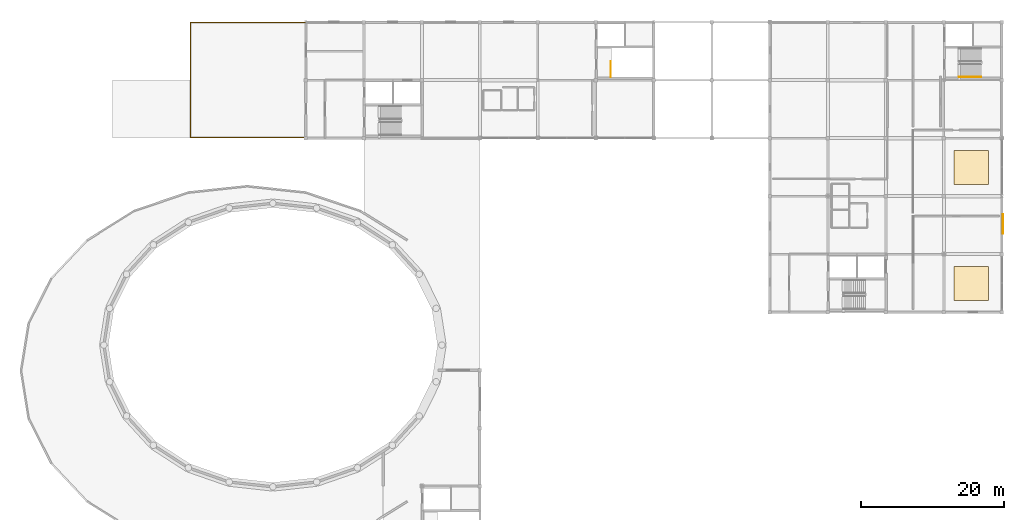
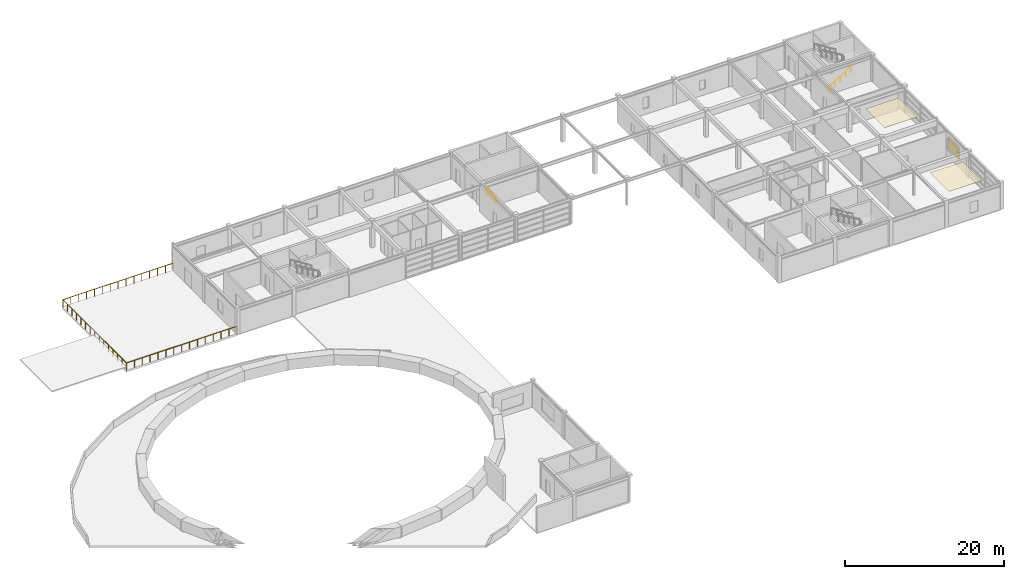
# One storey, part 25 of 26: 3 railings, 2 coverings, 1 shading device.
"""IFC4 building model written with IfcOpenShell, lengths in metres."""

import ifcopenshell
import ifcopenshell.guid

model = None  # the IFC model being written
_history = None  # IfcOwnerHistory: only IFC2X3 demands one
_inside = {}  # id of a spatial element -> (the spatial element, [elements in it])
_under = {}  # id of a project, library or spatial element -> (it, [spatial elements below it])
_declared = {}  # id of a project -> (the project, [libraries it declares])
_typed = {}  # id of a type object -> (the type object, [elements of that type])
_made_of = {}  # id of a material, layer set ... -> (it, [elements and type objects made of it])


def new_model(schema):
    """Start an empty IFC model of exactly this schema.

    Asked for "IFC4X3", IfcOpenShell would pick the latest addendum, in which some entities
    have other attributes; the version numbers below select the first issue.
    IFC2X3 requires an IfcOwnerHistory on every rooted entity: one is made here for all.
    """
    global model, _history
    if schema == "IFC4X3":
        model = ifcopenshell.file(schema_version=(4, 3, 0, 0))
    else:
        model = ifcopenshell.file(schema=schema)
    _inside.clear()
    _under.clear()
    _declared.clear()
    _typed.clear()
    _made_of.clear()
    _history = None
    if model.schema == "IFC2X3":
        org = make("IfcOrganization", Name="unknown")
        user = make(
            "IfcPersonAndOrganization",
            ThePerson=make("IfcPerson", FamilyName="unknown"),
            TheOrganization=org,
        )
        app = make(
            "IfcApplication",
            ApplicationDeveloper=org,
            Version="unknown",
            ApplicationFullName="unknown",
            ApplicationIdentifier="unknown",
        )
        _history = make(
            "IfcOwnerHistory",
            OwningUser=user,
            OwningApplication=app,
            ChangeAction="ADDED",
            CreationDate=0,
        )
    return model


def make(cls, **values):
    """One entity of the class cls with the attributes given. An attribute that is None is left unset."""
    return model.create_entity(
        cls, **{name: value for name, value in values.items() if value is not None}
    )


def rooted(cls, **values):
    """An entity with a GlobalId (a new one), such as an element, a storey or a relation."""
    return make(cls, GlobalId=ifcopenshell.guid.new(), OwnerHistory=_history, **values)


def si_unit(unit_type, name, prefix=None):
    """IfcSIUnit, for example si_unit("LENGTHUNIT", "METRE", prefix="MILLI")."""
    return make("IfcSIUnit", UnitType=unit_type, Prefix=prefix, Name=name)


def assignment(units):
    """IfcUnitAssignment: the units of a project."""
    return None if units is None else make("IfcUnitAssignment", Units=units)


def point(xyz):
    """IfcCartesianPoint."""
    return None if xyz is None else make("IfcCartesianPoint", Coordinates=xyz)


def direction(xyz):
    """IfcDirection."""
    return None if xyz is None else make("IfcDirection", DirectionRatios=xyz)


def frame(location, z_axis=None, x_axis=None):
    """IfcAxis2Placement3D, a coordinate frame: its origin and axes. An axis left out is left unset."""
    return make(
        "IfcAxis2Placement3D",
        Location=point(location),
        Axis=direction(z_axis),
        RefDirection=direction(x_axis),
    )


def frame_2d(location, x_axis=None):
    """IfcAxis2Placement2D, a coordinate frame in the plane: its origin and x axis."""
    return make(
        "IfcAxis2Placement2D", Location=point(location), RefDirection=direction(x_axis)
    )


def origin():
    """The frame at (0, 0, 0) with its axes left unset."""
    return frame((0.0, 0.0, 0.0))


def origin_2d():
    """The frame at (0, 0) in the plane with its x axis left unset."""
    return frame_2d((0.0, 0.0))


def place(relative_to, where):
    """IfcLocalPlacement: puts the frame where relative to a parent placement (None: the world)."""
    return make(
        "IfcLocalPlacement", PlacementRelTo=relative_to, RelativePlacement=where
    )


def context(
    kind, dimensions, precision=None, world=None, true_north=None, identifier=None
):
    """IfcGeometricRepresentationContext, for example the 3D "Model" context."""
    return make(
        "IfcGeometricRepresentationContext",
        ContextIdentifier=identifier,
        ContextType=kind,
        CoordinateSpaceDimension=dimensions,
        Precision=precision,
        WorldCoordinateSystem=world,
        TrueNorth=true_north,
    )


def subcontext(parent, identifier, kind, view, scale=None):
    """IfcGeometricRepresentationSubContext, for example "Body" below "Model"."""
    return make(
        "IfcGeometricRepresentationSubContext",
        ContextIdentifier=identifier,
        ContextType=kind,
        ParentContext=parent,
        TargetScale=scale,
        TargetView=view,
    )


def project(units=None, contexts=None):
    """IfcProject with its units and contexts."""
    return rooted(
        "IfcProject",
        Name="project",
        RepresentationContexts=contexts,
        UnitsInContext=assignment(units),
    )


def spatial(cls, under=None, at=None, **own):
    """A site, building, storey or space (cls), placed at a placement, below another one or the project."""
    s = rooted(cls, ObjectPlacement=at, **own)
    if under is not None:
        _under.setdefault(under.id(), (under, []))[1].append(s)
    return s


def profile(cls, at=None, kind="AREA", **sizes):
    """A parametric profile (cls). Its sizes go by their IFC names, for example OverallWidth=200.0."""
    return make(cls, ProfileType=kind, Position=at, **sizes)


def rectangle(**sizes):
    """IfcRectangleProfileDef."""
    return profile("IfcRectangleProfileDef", **sizes)


def circle(**sizes):
    """IfcCircleProfileDef."""
    return profile("IfcCircleProfileDef", **sizes)


def extrude(swept, where, along, depth):
    """IfcExtrudedAreaSolid: the profile swept, set in the frame where, extruded along a direction by depth."""
    return make(
        "IfcExtrudedAreaSolid",
        SweptArea=swept,
        Position=where,
        ExtrudedDirection=direction(along),
        Depth=depth,
    )


def shape(context_of_items, identifier, shape_type, items):
    """IfcShapeRepresentation: the items that make up one representation, for example the "Body"."""
    return make(
        "IfcShapeRepresentation",
        ContextOfItems=context_of_items,
        RepresentationIdentifier=identifier,
        RepresentationType=shape_type,
        Items=items,
    )


def material(Name=None, Category=None):
    """IfcMaterial."""
    return make("IfcMaterial", Name=Name, Category=Category)


def layer(
    of_material, thickness, ventilated=None, Name=None, Category=None, Priority=None
):
    """IfcMaterialLayer: one layer of a wall or slab, of a material (None: an air gap)."""
    return make(
        "IfcMaterialLayer",
        Material=of_material,
        LayerThickness=thickness,
        IsVentilated=ventilated,
        Name=Name,
        Category=Category,
        Priority=Priority,
    )


def layer_set(layers, Name=None):
    """IfcMaterialLayerSet."""
    return make("IfcMaterialLayerSet", MaterialLayers=layers, LayerSetName=Name)


def made_of(thing, what):
    """Note that an element or type object is made of a material, layer set ...; save() writes the relation."""
    if what is not None:
        _made_of.setdefault(what.id(), (what, []))[1].append(thing)
    return thing


def type_object(cls, material=None, **own):
    """A type object (cls), such as IfcWallType, which elements share."""
    return made_of(rooted(cls, **own), material)


def element(
    cls,
    number,
    at=None,
    inside=None,
    cuts=None,
    type_object=None,
    material=None,
    context=None,
    identifier="Body",
    shape_type=None,
    held_by="IfcProductDefinitionShape",
    body=None,
    shapes=None,
    **own,
):
    """One element of the class cls, such as IfcWall. Its Tag is "e" and its number.

    at: its placement. inside: the storey or other place that contains it. cuts: it is an
    opening in that element (IfcRelVoidsElement). A single representation is given by context,
    identifier, shape_type and body (its items); several are given by shapes. held_by: the class
    of the entity that holds the representations. save() writes the other relations.
    """
    e = rooted(cls, Tag="e%d" % number, ObjectPlacement=at, **own)
    if body is not None:
        shapes = [shape(context, identifier, shape_type, body)]
    if shapes is not None:
        e.Representation = make(held_by, Representations=shapes)
    if inside is not None:
        _inside.setdefault(inside.id(), (inside, []))[1].append(e)
    if cuts is not None:
        rooted(
            "IfcRelVoidsElement", RelatingBuildingElement=cuts, RelatedOpeningElement=e
        )
    if type_object is not None:
        _typed.setdefault(type_object.id(), (type_object, []))[1].append(e)
    return made_of(e, material)


def aggregate(whole, parts):
    """IfcRelAggregates: a whole, such as a stair, and the parts it consists of."""
    return rooted("IfcRelAggregates", RelatingObject=whole, RelatedObjects=parts)


def save(model, path):
    """Write the relations noted so far, then the file.

    IfcRelAggregates (storeys below a building ...), IfcRelContainedInSpatialStructure (elements
    in a storey), IfcRelDefinesByType, IfcRelAssociatesMaterial and IfcRelDeclares: one each for
    every whole, place, type object, material and project.
    """
    for whole, parts in _under.values():
        aggregate(whole, parts)
    for where, things in _inside.values():
        rooted(
            "IfcRelContainedInSpatialStructure",
            RelatedElements=things,
            RelatingStructure=where,
        )
    for kind, things in _typed.values():
        rooted("IfcRelDefinesByType", RelatedObjects=things, RelatingType=kind)
    for what, things in _made_of.values():
        rooted("IfcRelAssociatesMaterial", RelatedObjects=things, RelatingMaterial=what)
    for by, libraries in _declared.values():
        rooted("IfcRelDeclares", RelatingContext=by, RelatedDefinitions=libraries)
    model.write(path)


model = new_model("IFC4")

# Units and contexts
model_context = context("Model", 3, precision=1e-05, world=origin(), true_north=direction((0.0, 1.0)))
body_context = subcontext(model_context, "Body", "Model", "MODEL_VIEW")
ifc_project = project(units=[si_unit("LENGTHUNIT", "METRE"), si_unit("AREAUNIT", "SQUARE_METRE"), si_unit("VOLUMEUNIT", "CUBIC_METRE"), si_unit("PLANEANGLEUNIT", "RADIAN"), si_unit("MASSUNIT", "GRAM", prefix="KILO")], contexts=[model_context])

# Site, building, storey
site_placement = place(None, origin())
site = spatial("IfcSite", under=ifc_project, at=site_placement, CompositionType="ELEMENT")
building_placement = place(site_placement, origin())
building = spatial("IfcBuilding", under=site, at=building_placement, Name="Parian Resonance Hall", CompositionType="ELEMENT")
storey_placement = place(building_placement, frame((0.0, 0.0, 19.199951171875)))
storey = spatial("IfcBuildingStorey", under=building, at=storey_placement, Name="L04", CompositionType="ELEMENT", Elevation=19.199951171875)

# Coverings
ifc_material_1 = material(Name="Perforated mahogany and mineral-wool acoustic ceiling")
ifc_layer_1 = layer(ifc_material_1, 0.0400390625)
ifc_layer_set_1 = layer_set([ifc_layer_1], Name="Perforated mahogany and mineral-wool acoustic ceiling")
covering_type = type_object("IfcCoveringType", Name="COV-CEIL-ACOUSTIC", PredefinedType="CEILING", material=ifc_layer_set_1)
for number, where, z_axis, x_axis, name in (
    (1, (141.5, 52.60009765625, 3.922119140625), (0.0, 0.0, 1.0), (1.0, 0.0, 0.0), "Suspended mahogany acoustic ceiling canopy L04-09"),
    (2, (141.5, 68.800048828125, 3.922119140625), (0.0, 0.0, 1.0), (1.0, 0.0, 0.0), "Suspended mahogany acoustic ceiling canopy L04-10"),
):
    element("IfcCovering", number, at=place(storey_placement, frame(where, z_axis=z_axis, x_axis=x_axis)), inside=storey, type_object=covering_type, Name=name, PredefinedType="CEILING", context=body_context, shape_type="SweptSolid", body=[
        extrude(rectangle(XDim=4.800048828125, YDim=4.800048828125, at=origin_2d()), origin(), (0.0, 0.0, 1.0), 0.0400390625),
    ])

# Railings
ifc_material_2 = material(Name="Patinated bronze persiana louver")
railing_type_1 = type_object("IfcRailingType", Name="RAIL-BAL-1120", PredefinedType="BALUSTRADE", material=ifc_material_2)
railing_1_placement = place(storey_placement, frame((48.550048828125, 89.02001953125, 0.0)))
element("IfcRailing", 3, at=railing_1_placement, inside=storey, type_object=railing_type_1, Name="Foyer Roof Terrace perimeter bronze balustrade", PredefinedType="BALUSTRADE", context=body_context, shape_type="SweptSolid", body=[
    extrude(circle(Radius=0.02392578125, at=origin_2d()), frame((0.0, 0.0, 1.09619140625), z_axis=(-1.0, 0.0, 0.0), x_axis=(0.0, -1.0, 0.0)), (0.0, 0.0, 1.0), 16.070068359375),
    extrude(circle(Radius=0.02392578125, at=origin_2d()), frame((-16.070068359375, 0.0, 1.09619140625), z_axis=(0.0, -1.0, 0.0), x_axis=(1.0, 0.0, 0.0)), (0.0, 0.0, 1.0), 16.0400390625),
    extrude(circle(Radius=0.02392578125, at=origin_2d()), frame((-16.070068359375, -16.0400390625, 1.09619140625), z_axis=(1.0, 0.0, 0.0), x_axis=(0.0, 1.0, 0.0)), (0.0, 0.0, 1.0), 16.070068359375),
    extrude(circle(Radius=0.02099609375, at=origin_2d()), origin(), (0.0, 0.0, 1.0), 1.072021484375),
    extrude(circle(Radius=0.02099609375, at=origin_2d()), frame((-1.14794921875, 0.0, 0.0)), (0.0, 0.0, 1.0), 1.072021484375),
    extrude(circle(Radius=0.02099609375, at=origin_2d()), frame((-2.295654296875, 0.0, 0.0)), (0.0, 0.0, 1.0), 1.072021484375),
    extrude(circle(Radius=0.02099609375, at=origin_2d()), frame((-3.443603515625, 0.0, 0.0)), (0.0, 0.0, 1.0), 1.072021484375),
    extrude(circle(Radius=0.02099609375, at=origin_2d()), frame((-4.591552734375, 0.0, 0.0)), (0.0, 0.0, 1.0), 1.072021484375),
    extrude(circle(Radius=0.02099609375, at=origin_2d()), frame((-5.7392578125, 0.0, 0.0)), (0.0, 0.0, 1.0), 1.072021484375),
    extrude(circle(Radius=0.02099609375, at=origin_2d()), frame((-6.88720703125, 0.0, 0.0)), (0.0, 0.0, 1.0), 1.072021484375),
    extrude(circle(Radius=0.02099609375, at=origin_2d()), frame((-8.03515625, 0.0, 0.0)), (0.0, 0.0, 1.0), 1.072021484375),
    extrude(circle(Radius=0.02099609375, at=origin_2d()), frame((-9.182861328125, 0.0, 0.0)), (0.0, 0.0, 1.0), 1.072021484375),
    extrude(circle(Radius=0.02099609375, at=origin_2d()), frame((-10.330810546875, 0.0, 0.0)), (0.0, 0.0, 1.0), 1.072021484375),
    extrude(circle(Radius=0.02099609375, at=origin_2d()), frame((-11.478515625, 0.0, 0.0)), (0.0, 0.0, 1.0), 1.072021484375),
    extrude(circle(Radius=0.02099609375, at=origin_2d()), frame((-12.62646484375, 0.0, 0.0)), (0.0, 0.0, 1.0), 1.072021484375),
    extrude(circle(Radius=0.02099609375, at=origin_2d()), frame((-13.7744140625, 0.0, 0.0)), (0.0, 0.0, 1.0), 1.072021484375),
    extrude(circle(Radius=0.02099609375, at=origin_2d()), frame((-14.922119140625, 0.0, 0.0)), (0.0, 0.0, 1.0), 1.072021484375),
    extrude(circle(Radius=0.02099609375, at=origin_2d()), frame((-16.070068359375, 0.0, 0.0)), (0.0, 0.0, 1.0), 1.072021484375),
    extrude(circle(Radius=0.02099609375, at=origin_2d()), frame((-16.070068359375, -1.145751953125, 0.0)), (0.0, 0.0, 1.0), 1.072021484375),
    extrude(circle(Radius=0.02099609375, at=origin_2d()), frame((-16.070068359375, -2.29150390625, 0.0)), (0.0, 0.0, 1.0), 1.072021484375),
    extrude(circle(Radius=0.02099609375, at=origin_2d()), frame((-16.070068359375, -3.437255859375, 0.0)), (0.0, 0.0, 1.0), 1.072021484375),
    extrude(circle(Radius=0.02099609375, at=origin_2d()), frame((-16.070068359375, -4.582763671875, 0.0)), (0.0, 0.0, 1.0), 1.072021484375),
    extrude(circle(Radius=0.02099609375, at=origin_2d()), frame((-16.070068359375, -5.728515625, 0.0)), (0.0, 0.0, 1.0), 1.072021484375),
    extrude(circle(Radius=0.02099609375, at=origin_2d()), frame((-16.070068359375, -6.874267578125, 0.0)), (0.0, 0.0, 1.0), 1.072021484375),
    extrude(circle(Radius=0.02099609375, at=origin_2d()), frame((-16.070068359375, -8.02001953125, 0.0)), (0.0, 0.0, 1.0), 1.072021484375),
    extrude(circle(Radius=0.02099609375, at=origin_2d()), frame((-16.070068359375, -9.165771484375, 0.0)), (0.0, 0.0, 1.0), 1.072021484375),
    extrude(circle(Radius=0.02099609375, at=origin_2d()), frame((-16.070068359375, -10.3115234375, 0.0)), (0.0, 0.0, 1.0), 1.072021484375),
    extrude(circle(Radius=0.02099609375, at=origin_2d()), frame((-16.070068359375, -11.457275390625, 0.0)), (0.0, 0.0, 1.0), 1.072021484375),
    extrude(circle(Radius=0.02099609375, at=origin_2d()), frame((-16.070068359375, -12.602783203125, 0.0)), (0.0, 0.0, 1.0), 1.072021484375),
    extrude(circle(Radius=0.02099609375, at=origin_2d()), frame((-16.070068359375, -13.74853515625, 0.0)), (0.0, 0.0, 1.0), 1.072021484375),
    extrude(circle(Radius=0.02099609375, at=origin_2d()), frame((-16.070068359375, -14.894287109375, 0.0)), (0.0, 0.0, 1.0), 1.072021484375),
    extrude(circle(Radius=0.02099609375, at=origin_2d()), frame((-16.070068359375, -16.0400390625, 0.0)), (0.0, 0.0, 1.0), 1.072021484375),
    extrude(circle(Radius=0.02099609375, at=origin_2d()), frame((-14.922119140625, -16.0400390625, 0.0)), (0.0, 0.0, 1.0), 1.072021484375),
    extrude(circle(Radius=0.02099609375, at=origin_2d()), frame((-13.7744140625, -16.0400390625, 0.0)), (0.0, 0.0, 1.0), 1.072021484375),
    extrude(circle(Radius=0.02099609375, at=origin_2d()), frame((-12.62646484375, -16.0400390625, 0.0)), (0.0, 0.0, 1.0), 1.072021484375),
    extrude(circle(Radius=0.02099609375, at=origin_2d()), frame((-11.478515625, -16.0400390625, 0.0)), (0.0, 0.0, 1.0), 1.072021484375),
    extrude(circle(Radius=0.02099609375, at=origin_2d()), frame((-10.330810546875, -16.0400390625, 0.0)), (0.0, 0.0, 1.0), 1.072021484375),
    extrude(circle(Radius=0.02099609375, at=origin_2d()), frame((-9.182861328125, -16.0400390625, 0.0)), (0.0, 0.0, 1.0), 1.072021484375),
    extrude(circle(Radius=0.02099609375, at=origin_2d()), frame((-8.03515625, -16.0400390625, 0.0)), (0.0, 0.0, 1.0), 1.072021484375),
    extrude(circle(Radius=0.02099609375, at=origin_2d()), frame((-6.88720703125, -16.0400390625, 0.0)), (0.0, 0.0, 1.0), 1.072021484375),
    extrude(circle(Radius=0.02099609375, at=origin_2d()), frame((-5.7392578125, -16.0400390625, 0.0)), (0.0, 0.0, 1.0), 1.072021484375),
    extrude(circle(Radius=0.02099609375, at=origin_2d()), frame((-4.591552734375, -16.0400390625, 0.0)), (0.0, 0.0, 1.0), 1.072021484375),
    extrude(circle(Radius=0.02099609375, at=origin_2d()), frame((-3.443603515625, -16.0400390625, 0.0)), (0.0, 0.0, 1.0), 1.072021484375),
    extrude(circle(Radius=0.02099609375, at=origin_2d()), frame((-2.295654296875, -16.0400390625, 0.0)), (0.0, 0.0, 1.0), 1.072021484375),
    extrude(circle(Radius=0.02099609375, at=origin_2d()), frame((-1.14794921875, -16.0400390625, 0.0)), (0.0, 0.0, 1.0), 1.072021484375),
    extrude(circle(Radius=0.02099609375, at=origin_2d()), frame((0.0, -16.0400390625, 0.0)), (0.0, 0.0, 1.0), 1.072021484375),
])
ifc_material_3 = material(Name="Patinated bronze whiplash metalwork")
railing_type_2 = type_object("IfcRailingType", Name="RAIL-STAIR-GRD-1100", PredefinedType="GUARDRAIL", material=ifc_material_3)
railing_2_placement = place(storey_placement, frame((91.169921875, 81.39990234375, 0.0)))
element("IfcRailing", 4, at=railing_2_placement, inside=storey, type_object=railing_type_2, Name="L04 ST-05 top well guard 1", PredefinedType="GUARDRAIL", context=body_context, shape_type="SweptSolid", body=[
    extrude(circle(Radius=0.02392578125, at=origin_2d()), frame((0.0, 0.0, 1.076171875), z_axis=(0.0, 1.0, 0.0), x_axis=(-1.0, 0.0, 0.0)), (0.0, 0.0, 1.0), 2.18017578125),
    extrude(circle(Radius=0.02099609375, at=origin_2d()), origin(), (0.0, 0.0, 1.0), 1.052001953125),
    extrude(circle(Radius=0.02099609375, at=origin_2d()), frame((0.0, 1.090087890625, 0.0)), (0.0, 0.0, 1.0), 1.052001953125),
    extrude(circle(Radius=0.02099609375, at=origin_2d()), frame((0.0, 2.18017578125, 0.0)), (0.0, 0.0, 1.0), 1.052001953125),
])
ifc_material_4 = material(Name="Patinated bronze whiplash metalwork")
railing_type_3 = type_object("IfcRailingType", Name="RAIL-STAIR-HR-900", PredefinedType="HANDRAIL", material=ifc_material_4)
railing_3_placement = place(storey_placement, frame((139.820068359375, 81.449951171875, 0.175048828125)))
element("IfcRailing", 5, at=railing_3_placement, inside=storey, type_object=railing_type_3, Name="L04 ST-06 stair handrail 1", PredefinedType="HANDRAIL", context=body_context, shape_type="SweptSolid", body=[
    extrude(circle(Radius=0.02392578125, at=origin_2d()), frame((0.0, 0.0, 0.8759765625), z_axis=(0.847979421464, 0.0, 0.530029150871), x_axis=(0.0, 1.0, 0.0)), (0.0, 0.0, 1.0), 3.632080078125),
    extrude(circle(Radius=0.02099609375, at=origin_2d()), origin(), (0.0, 0.0, 1.0), 0.851806640625),
    extrude(circle(Radius=0.02099609375, at=origin_2d()), frame((0.77001953125, 0.0, 0.481201171875)), (0.0, 0.0, 1.0), 0.851806640625),
    extrude(circle(Radius=0.02099609375, at=origin_2d()), frame((1.5400390625, 0.0, 0.96240234375)), (0.0, 0.0, 1.0), 0.851806640625),
    extrude(circle(Radius=0.02099609375, at=origin_2d()), frame((2.309814453125, 0.0, 1.44384765625)), (0.0, 0.0, 1.0), 0.851806640625),
    extrude(circle(Radius=0.02099609375, at=origin_2d()), frame((3.079833984375, 0.0, 1.925048828125)), (0.0, 0.0, 1.0), 0.851806640625),
])

# Shading device
ifc_material_5 = material(Name="Patinated bronze persiana louver")
ifc_layer_2 = layer(ifc_material_5, 0.06005859375)
ifc_layer_set_2 = layer_set([ifc_layer_2], Name="Patinated bronze persiana louver")
shading_device_type = type_object("IfcShadingDeviceType", Name="SHD-PERSIANA-SHT", PredefinedType="SHUTTER", material=ifc_layer_set_2)
shading_device_placement = place(storey_placement, frame((145.962890625, 60.875, 0.860107421875), z_axis=(0.0, 0.0, 1.0), x_axis=(0.0, -1.0, 0.0)))
element("IfcShadingDevice", 6, at=shading_device_placement, inside=storey, type_object=shading_device_type, Name="Bronze operable persiana shutter L04-069", PredefinedType="SHUTTER", context=body_context, shape_type="SweptSolid", body=[
    extrude(rectangle(XDim=2.719970703125, YDim=0.06005859375, at=origin_2d()), origin(), (0.0, 0.0, 1.0), 1.8798828125),
])

save(model, "model.ifc")
